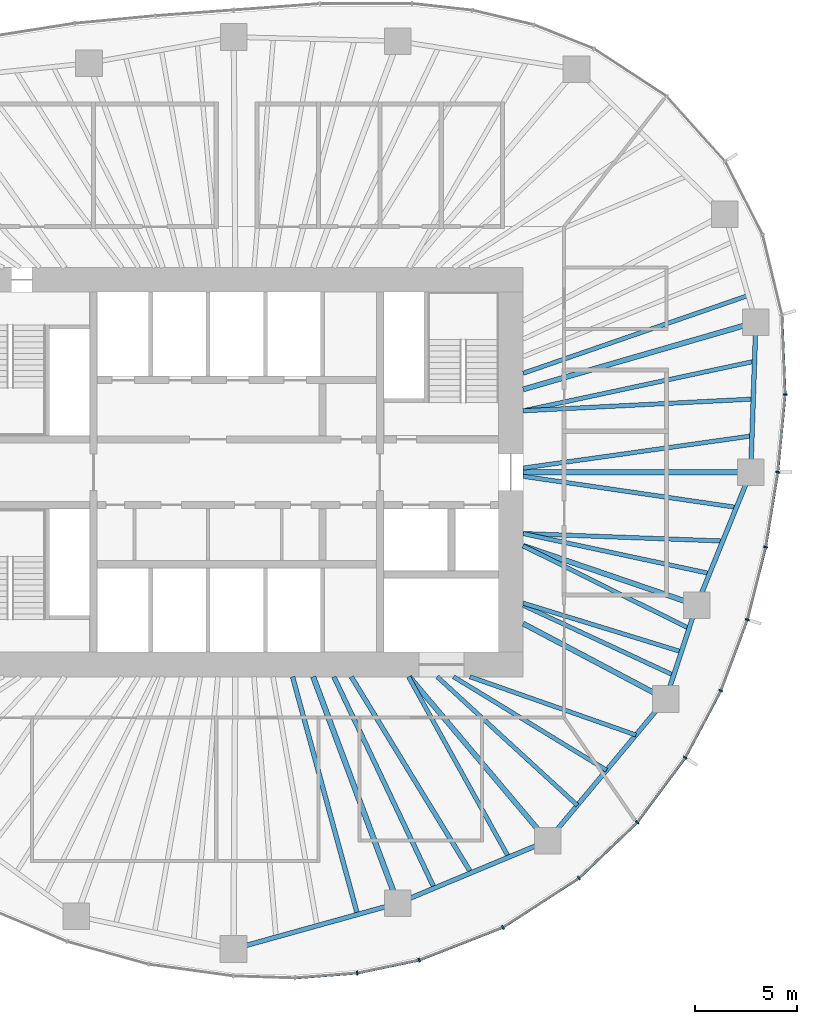
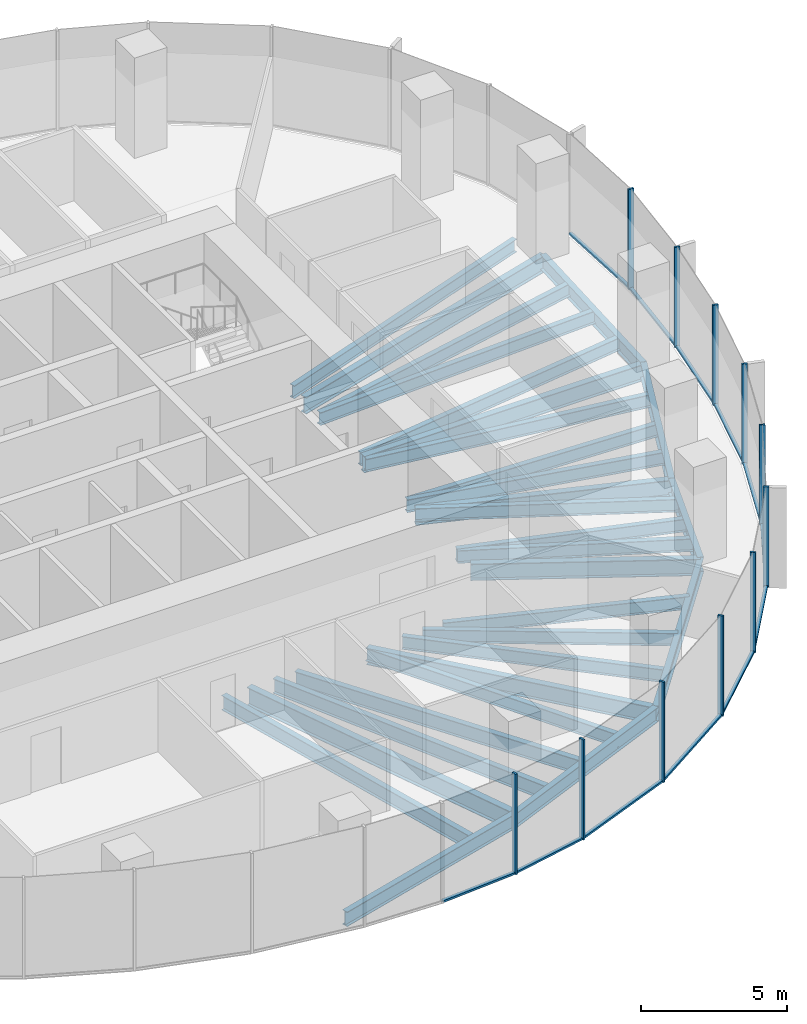
# One storey, part 4 of 11: 29 beams, 23 members, 6 elements without a shape of their own.
"""IFC4 building model written with IfcOpenShell, lengths in metres."""

import ifcopenshell
import ifcopenshell.guid

model = None  # the IFC model being written
_history = None  # IfcOwnerHistory: only IFC2X3 demands one
_inside = {}  # id of a spatial element -> (the spatial element, [elements in it])
_under = {}  # id of a project, library or spatial element -> (it, [spatial elements below it])
_declared = {}  # id of a project -> (the project, [libraries it declares])
_typed = {}  # id of a type object -> (the type object, [elements of that type])
_made_of = {}  # id of a material, layer set ... -> (it, [elements and type objects made of it])


def new_model(schema):
    """Start an empty IFC model of exactly this schema.

    Asked for "IFC4X3", IfcOpenShell would pick the latest addendum, in which some entities
    have other attributes; the version numbers below select the first issue.
    IFC2X3 requires an IfcOwnerHistory on every rooted entity: one is made here for all.
    """
    global model, _history
    if schema == "IFC4X3":
        model = ifcopenshell.file(schema_version=(4, 3, 0, 0))
    else:
        model = ifcopenshell.file(schema=schema)
    _inside.clear()
    _under.clear()
    _declared.clear()
    _typed.clear()
    _made_of.clear()
    _history = None
    if model.schema == "IFC2X3":
        org = make("IfcOrganization", Name="unknown")
        user = make(
            "IfcPersonAndOrganization",
            ThePerson=make("IfcPerson", FamilyName="unknown"),
            TheOrganization=org,
        )
        app = make(
            "IfcApplication",
            ApplicationDeveloper=org,
            Version="unknown",
            ApplicationFullName="unknown",
            ApplicationIdentifier="unknown",
        )
        _history = make(
            "IfcOwnerHistory",
            OwningUser=user,
            OwningApplication=app,
            ChangeAction="ADDED",
            CreationDate=0,
        )
    return model


def make(cls, **values):
    """One entity of the class cls with the attributes given. An attribute that is None is left unset."""
    return model.create_entity(
        cls, **{name: value for name, value in values.items() if value is not None}
    )


def rooted(cls, **values):
    """An entity with a GlobalId (a new one), such as an element, a storey or a relation."""
    return make(cls, GlobalId=ifcopenshell.guid.new(), OwnerHistory=_history, **values)


def si_unit(unit_type, name, prefix=None):
    """IfcSIUnit, for example si_unit("LENGTHUNIT", "METRE", prefix="MILLI")."""
    return make("IfcSIUnit", UnitType=unit_type, Prefix=prefix, Name=name)


def assignment(units):
    """IfcUnitAssignment: the units of a project."""
    return None if units is None else make("IfcUnitAssignment", Units=units)


def point(xyz):
    """IfcCartesianPoint."""
    return None if xyz is None else make("IfcCartesianPoint", Coordinates=xyz)


def direction(xyz):
    """IfcDirection."""
    return None if xyz is None else make("IfcDirection", DirectionRatios=xyz)


def frame(location, z_axis=None, x_axis=None):
    """IfcAxis2Placement3D, a coordinate frame: its origin and axes. An axis left out is left unset."""
    return make(
        "IfcAxis2Placement3D",
        Location=point(location),
        Axis=direction(z_axis),
        RefDirection=direction(x_axis),
    )


def frame_2d(location, x_axis=None):
    """IfcAxis2Placement2D, a coordinate frame in the plane: its origin and x axis."""
    return make(
        "IfcAxis2Placement2D", Location=point(location), RefDirection=direction(x_axis)
    )


def origin():
    """The frame at (0, 0, 0) with its axes left unset."""
    return frame((0.0, 0.0, 0.0))


def origin_2d():
    """The frame at (0, 0) in the plane with its x axis left unset."""
    return frame_2d((0.0, 0.0))


def place(relative_to, where):
    """IfcLocalPlacement: puts the frame where relative to a parent placement (None: the world)."""
    return make(
        "IfcLocalPlacement", PlacementRelTo=relative_to, RelativePlacement=where
    )


def context(
    kind, dimensions, precision=None, world=None, true_north=None, identifier=None
):
    """IfcGeometricRepresentationContext, for example the 3D "Model" context."""
    return make(
        "IfcGeometricRepresentationContext",
        ContextIdentifier=identifier,
        ContextType=kind,
        CoordinateSpaceDimension=dimensions,
        Precision=precision,
        WorldCoordinateSystem=world,
        TrueNorth=true_north,
    )


def subcontext(parent, identifier, kind, view, scale=None):
    """IfcGeometricRepresentationSubContext, for example "Body" below "Model"."""
    return make(
        "IfcGeometricRepresentationSubContext",
        ContextIdentifier=identifier,
        ContextType=kind,
        ParentContext=parent,
        TargetScale=scale,
        TargetView=view,
    )


def project(units=None, contexts=None):
    """IfcProject with its units and contexts."""
    return rooted(
        "IfcProject",
        Name="project",
        RepresentationContexts=contexts,
        UnitsInContext=assignment(units),
    )


def spatial(cls, under=None, at=None, **own):
    """A site, building, storey or space (cls), placed at a placement, below another one or the project."""
    s = rooted(cls, ObjectPlacement=at, **own)
    if under is not None:
        _under.setdefault(under.id(), (under, []))[1].append(s)
    return s


def profile(cls, at=None, kind="AREA", **sizes):
    """A parametric profile (cls). Its sizes go by their IFC names, for example OverallWidth=200.0."""
    return make(cls, ProfileType=kind, Position=at, **sizes)


def rectangle(**sizes):
    """IfcRectangleProfileDef."""
    return profile("IfcRectangleProfileDef", **sizes)


def i_section(**sizes):
    """IfcIShapeProfileDef."""
    return profile("IfcIShapeProfileDef", **sizes)


def extrude(swept, where, along, depth):
    """IfcExtrudedAreaSolid: the profile swept, set in the frame where, extruded along a direction by depth."""
    return make(
        "IfcExtrudedAreaSolid",
        SweptArea=swept,
        Position=where,
        ExtrudedDirection=direction(along),
        Depth=depth,
    )


def shape(context_of_items, identifier, shape_type, items):
    """IfcShapeRepresentation: the items that make up one representation, for example the "Body"."""
    return make(
        "IfcShapeRepresentation",
        ContextOfItems=context_of_items,
        RepresentationIdentifier=identifier,
        RepresentationType=shape_type,
        Items=items,
    )


def material(Name=None, Category=None):
    """IfcMaterial."""
    return make("IfcMaterial", Name=Name, Category=Category)


def material_profile(
    of_material, cross_section, Name=None, Category=None, Priority=None
):
    """IfcMaterialProfile: a cross section and its material."""
    return make(
        "IfcMaterialProfile",
        Name=Name,
        Material=of_material,
        Profile=cross_section,
        Priority=Priority,
        Category=Category,
    )


def profile_set(profiles, Name=None, composite=None):
    """IfcMaterialProfileSet."""
    return make(
        "IfcMaterialProfileSet",
        Name=Name,
        MaterialProfiles=profiles,
        CompositeProfile=composite,
    )


def made_of(thing, what):
    """Note that an element or type object is made of a material, layer set ...; save() writes the relation."""
    if what is not None:
        _made_of.setdefault(what.id(), (what, []))[1].append(thing)
    return thing


def type_object(cls, material=None, **own):
    """A type object (cls), such as IfcWallType, which elements share."""
    return made_of(rooted(cls, **own), material)


def element(
    cls,
    number,
    at=None,
    inside=None,
    cuts=None,
    type_object=None,
    material=None,
    context=None,
    identifier="Body",
    shape_type=None,
    held_by="IfcProductDefinitionShape",
    body=None,
    shapes=None,
    **own,
):
    """One element of the class cls, such as IfcWall. Its Tag is "e" and its number.

    at: its placement. inside: the storey or other place that contains it. cuts: it is an
    opening in that element (IfcRelVoidsElement). A single representation is given by context,
    identifier, shape_type and body (its items); several are given by shapes. held_by: the class
    of the entity that holds the representations. save() writes the other relations.
    """
    e = rooted(cls, Tag="e%d" % number, ObjectPlacement=at, **own)
    if body is not None:
        shapes = [shape(context, identifier, shape_type, body)]
    if shapes is not None:
        e.Representation = make(held_by, Representations=shapes)
    if inside is not None:
        _inside.setdefault(inside.id(), (inside, []))[1].append(e)
    if cuts is not None:
        rooted(
            "IfcRelVoidsElement", RelatingBuildingElement=cuts, RelatedOpeningElement=e
        )
    if type_object is not None:
        _typed.setdefault(type_object.id(), (type_object, []))[1].append(e)
    return made_of(e, material)


def aggregate(whole, parts):
    """IfcRelAggregates: a whole, such as a stair, and the parts it consists of."""
    return rooted("IfcRelAggregates", RelatingObject=whole, RelatedObjects=parts)


def save(model, path):
    """Write the relations noted so far, then the file.

    IfcRelAggregates (storeys below a building ...), IfcRelContainedInSpatialStructure (elements
    in a storey), IfcRelDefinesByType, IfcRelAssociatesMaterial and IfcRelDeclares: one each for
    every whole, place, type object, material and project.
    """
    for whole, parts in _under.values():
        aggregate(whole, parts)
    for where, things in _inside.values():
        rooted(
            "IfcRelContainedInSpatialStructure",
            RelatedElements=things,
            RelatingStructure=where,
        )
    for kind, things in _typed.values():
        rooted("IfcRelDefinesByType", RelatedObjects=things, RelatingType=kind)
    for what, things in _made_of.values():
        rooted("IfcRelAssociatesMaterial", RelatedObjects=things, RelatingMaterial=what)
    for by, libraries in _declared.values():
        rooted("IfcRelDeclares", RelatingContext=by, RelatedDefinitions=libraries)
    model.write(path)


model = new_model("IFC4")

# Units and contexts
model_context = context("Model", 3, precision=1e-05, world=origin(), true_north=direction((0.0, 1.0)))
body_context = subcontext(model_context, "Body", "Model", "MODEL_VIEW")
ifc_project = project(units=[si_unit("LENGTHUNIT", "METRE"), si_unit("AREAUNIT", "SQUARE_METRE"), si_unit("VOLUMEUNIT", "CUBIC_METRE"), si_unit("PLANEANGLEUNIT", "RADIAN"), si_unit("MASSUNIT", "GRAM", prefix="KILO")], contexts=[model_context])

# Site, building, storey
site_placement = place(None, origin())
site = spatial("IfcSite", under=ifc_project, at=site_placement, CompositionType="ELEMENT")
building_placement = place(site_placement, origin())
building = spatial("IfcBuilding", under=site, at=building_placement, Name="Ghaith Harvest Tower", CompositionType="ELEMENT")
storey_placement = place(building_placement, frame((0.0, 0.0, 211.60009765625)))
storey = spatial("IfcBuildingStorey", under=building, at=storey_placement, Name="L46", CompositionType="ELEMENT", Elevation=211.60009765625)

# Curtain wall, members
ifc_material_1 = material(Name="Black anodised aluminium and fritted glass", Category="aluminium")
curtain_wall_type = type_object("IfcCurtainWallType", Name="CW-H CURTAIN WALL", PredefinedType="NOTDEFINED", material=ifc_material_1)
curtain_wall_1_placement = place(storey_placement, origin())
curtain_wall_1 = element("IfcCurtainWall", 1, at=curtain_wall_1_placement, inside=storey, type_object=curtain_wall_type, Name="Curtain wall CW-H bay 01 L46", PredefinedType="NOTDEFINED")
ifc_material_2 = material(Name="Aluminium, black anodised", Category="aluminium")
ifc_material_profile_1 = material_profile(ifc_material_2, rectangle(XDim=0.080078125, YDim=0.199951171875, at=origin_2d()), Name="CW-H MULLION 80x200")
ifc_profile_set_1 = profile_set([ifc_material_profile_1], Name="Aluminium, black anodised")
member_type_1 = type_object("IfcMemberType", Name="CW-H MULLION 80x200", PredefinedType="MULLION", material=ifc_profile_set_1)
member_1_placement = place(storey_placement, frame((26.445068359375, 0.0, 0.0), z_axis=(0.0, 0.0, 1.0), x_axis=(0.126567624553, 0.991957981174, 0.0)))
member_1 = element("IfcMember", 2, at=member_1_placement, type_object=member_type_1, Name="CW-H mullion 1 bay 01 L46", PredefinedType="MULLION", context=body_context, shape_type="SweptSolid", body=[
    extrude(rectangle(XDim=0.080078125, YDim=0.199951171875, at=origin_2d()), origin(), (0.0, 0.0, 1.0), 4.199951171875),
])
member_2_placement = place(storey_placement, frame((26.804443359375, 3.7958984375, 0.0), z_axis=(0.0, 0.0, 1.0), x_axis=(0.026142797814, 0.999658218654, 0.0)))
member_2 = element("IfcMember", 3, at=member_2_placement, type_object=member_type_1, Name="CW-H mullion 2 bay 01 L46", PredefinedType="MULLION", context=body_context, shape_type="SweptSolid", body=[
    extrude(rectangle(XDim=0.080078125, YDim=0.199951171875, at=origin_2d()), origin(), (0.0, 0.0, 1.0), 4.199951171875),
])

# Curtain wall, member
curtain_wall_2_placement = place(storey_placement, origin())
curtain_wall_2 = element("IfcCurtainWall", 4, at=curtain_wall_2_placement, inside=storey, type_object=curtain_wall_type, Name="Curtain wall CW-H bay 16 L46", PredefinedType="NOTDEFINED")
member_3_placement = place(storey_placement, frame((5.893310546875, -24.48291015625, 0.0), z_axis=(0.0, 0.0, 1.0), x_axis=(0.989849191496, 0.142121701704, 0.0)))
member_3 = element("IfcMember", 5, at=member_3_placement, type_object=member_type_1, Name="CW-H mullion 3 bay 16 L46", PredefinedType="MULLION", context=body_context, shape_type="SweptSolid", body=[
    extrude(rectangle(XDim=0.080078125, YDim=0.199951171875, at=origin_2d()), origin(), (0.0, 0.0, 1.0), 4.199951171875),
])

# Curtain wall, members
curtain_wall_3_placement = place(storey_placement, origin())
curtain_wall_3 = element("IfcCurtainWall", 6, at=curtain_wall_3_placement, inside=storey, type_object=curtain_wall_type, Name="Curtain wall CW-H bay 17 L46", PredefinedType="NOTDEFINED")
member_4_placement = place(storey_placement, frame((8.916015625, -23.85009765625, 0.0), z_axis=(0.0, 0.0, 1.0), x_axis=(0.954029934434, 0.299711334793, 0.0)))
member_4 = element("IfcMember", 7, at=member_4_placement, type_object=member_type_1, Name="CW-H mullion 1 bay 17 L46", PredefinedType="MULLION", context=body_context, shape_type="SweptSolid", body=[
    extrude(rectangle(XDim=0.080078125, YDim=0.199951171875, at=origin_2d()), origin(), (0.0, 0.0, 1.0), 4.199951171875),
])
member_5_placement = place(storey_placement, frame((13.010009765625, -22.2470703125, 0.0), z_axis=(0.0, 0.0, 1.0), x_axis=(0.889568363425, 0.456802065225, 0.0)))
member_5 = element("IfcMember", 8, at=member_5_placement, type_object=member_type_1, Name="CW-H mullion 2 bay 17 L46", PredefinedType="MULLION", context=body_context, shape_type="SweptSolid", body=[
    extrude(rectangle(XDim=0.080078125, YDim=0.199951171875, at=origin_2d()), origin(), (0.0, 0.0, 1.0), 4.199951171875),
])

curtain_wall_4_placement = place(storey_placement, origin())
curtain_wall_4 = element("IfcCurtainWall", 9, at=curtain_wall_4_placement, inside=storey, type_object=curtain_wall_type, Name="Curtain wall CW-H bay 18 L46", PredefinedType="NOTDEFINED")
member_6_placement = place(storey_placement, frame((16.72900390625, -19.838134765625, 0.0), z_axis=(0.0, 0.0, 1.0), x_axis=(0.78784554071, 0.615872879727, 0.0)))
member_6 = element("IfcMember", 10, at=member_6_placement, type_object=member_type_1, Name="CW-H mullion 1 bay 18 L46", PredefinedType="MULLION", context=body_context, shape_type="SweptSolid", body=[
    extrude(rectangle(XDim=0.080078125, YDim=0.199951171875, at=origin_2d()), origin(), (0.0, 0.0, 1.0), 4.199951171875),
])
member_7_placement = place(storey_placement, frame((19.57421875, -17.11572265625, 0.0), z_axis=(0.0, 0.0, 1.0), x_axis=(0.661614965695, 0.749843741835, 0.0)))
member_7 = element("IfcMember", 11, at=member_7_placement, type_object=member_type_1, Name="CW-H mullion 2 bay 18 L46", PredefinedType="MULLION", context=body_context, shape_type="SweptSolid", body=[
    extrude(rectangle(XDim=0.080078125, YDim=0.199951171875, at=origin_2d()), origin(), (0.0, 0.0, 1.0), 4.199951171875),
])

curtain_wall_5_placement = place(storey_placement, origin())
curtain_wall_5 = element("IfcCurtainWall", 12, at=curtain_wall_5_placement, inside=storey, type_object=curtain_wall_type, Name="Curtain wall CW-H bay 19 L46", PredefinedType="NOTDEFINED")
member_8_placement = place(storey_placement, frame((21.922607421875, -13.951904296875, 0.0), z_axis=(0.0, 0.0, 1.0), x_axis=(0.535827198032, 0.844327669717, 0.0)))
member_8 = element("IfcMember", 13, at=member_8_placement, type_object=member_type_1, Name="CW-H mullion 1 bay 19 L46", PredefinedType="MULLION", context=body_context, shape_type="SweptSolid", body=[
    extrude(rectangle(XDim=0.080078125, YDim=0.199951171875, at=origin_2d()), origin(), (0.0, 0.0, 1.0), 4.199951171875),
])
member_9_placement = place(storey_placement, frame((23.658203125, -10.680419921875, 0.0), z_axis=(0.0, 0.0, 1.0), x_axis=(0.410429862351, 0.911892169114, 0.0)))
member_9 = element("IfcMember", 14, at=member_9_placement, type_object=member_type_1, Name="CW-H mullion 2 bay 19 L46", PredefinedType="MULLION", context=body_context, shape_type="SweptSolid", body=[
    extrude(rectangle(XDim=0.080078125, YDim=0.199951171875, at=origin_2d()), origin(), (0.0, 0.0, 1.0), 4.199951171875),
])

curtain_wall_6_placement = place(storey_placement, origin())
curtain_wall_6 = element("IfcCurtainWall", 15, at=curtain_wall_6_placement, inside=storey, type_object=curtain_wall_type, Name="Curtain wall CW-H bay 20 L46", PredefinedType="NOTDEFINED")
member_10_placement = place(storey_placement, frame((24.955810546875, -7.212890625, 0.0), z_axis=(0.0, 0.0, 1.0), x_axis=(0.298441625478, 0.954427889462, 0.0)))
member_10 = element("IfcMember", 16, at=member_10_placement, type_object=member_type_1, Name="CW-H mullion 1 bay 20 L46", PredefinedType="MULLION", context=body_context, shape_type="SweptSolid", body=[
    extrude(rectangle(XDim=0.080078125, YDim=0.199951171875, at=origin_2d()), origin(), (0.0, 0.0, 1.0), 4.199951171875),
])
member_11_placement = place(storey_placement, frame((25.85302734375, -3.6611328125, 0.0), z_axis=(0.0, 0.0, 1.0), x_axis=(0.202192370647, 0.979345825157, 0.0)))
member_11 = element("IfcMember", 17, at=member_11_placement, type_object=member_type_1, Name="CW-H mullion 2 bay 20 L46", PredefinedType="MULLION", context=body_context, shape_type="SweptSolid", body=[
    extrude(rectangle(XDim=0.080078125, YDim=0.199951171875, at=origin_2d()), origin(), (0.0, 0.0, 1.0), 4.199951171875),
])

# Member
ifc_material_3 = material(Name="Aluminium, black anodised", Category="aluminium")
ifc_material_profile_2 = material_profile(ifc_material_3, rectangle(XDim=0.1298828125, YDim=0.080078125, at=origin_2d()), Name="CW-H TRANSOM 130x80")
ifc_profile_set_2 = profile_set([ifc_material_profile_2], Name="Aluminium, black anodised")
member_type_2 = type_object("IfcMemberType", Name="CW-H TRANSOM 130x80", PredefinedType="USERDEFINED", material=ifc_profile_set_2)
member_12_placement = place(storey_placement, frame((26.44873046875, 0.039794921875, 0.039794921875), z_axis=(0.094309089207, 0.995542965267, 0.0), x_axis=(-0.995542965267, 0.094309089207, 0.0)))
member_12 = element("IfcMember", 18, at=member_12_placement, type_object=member_type_2, Name="CW-H transom 1 bay 01 L46", ObjectType="TRANSOM", PredefinedType="USERDEFINED", context=body_context, shape_type="SweptSolid", body=[
    extrude(rectangle(XDim=0.1298828125, YDim=0.080078125, at=origin_2d()), origin(), (0.0, 0.0, 1.0), 3.73291015625),
])

member_13_placement = place(storey_placement, frame((26.802978515625, 3.8359375, 0.039794921875), z_axis=(-0.040492641284, 0.999179836667, 0.0), x_axis=(-0.999179836667, -0.040492641284, 0.0)))
member_13 = element("IfcMember", 19, at=member_13_placement, type_object=member_type_2, Name="CW-H transom 2 bay 01 L46", ObjectType="TRANSOM", PredefinedType="USERDEFINED", context=body_context, shape_type="SweptSolid", body=[
    extrude(rectangle(XDim=0.1298828125, YDim=0.080078125, at=origin_2d()), origin(), (0.0, 0.0, 1.0), 3.82861328125),
])

aggregate(curtain_wall_1, [member_1, member_12, member_2, member_13])

member_14_placement = place(storey_placement, frame((2.8876953125, -24.71826171875, 0.039794921875), z_axis=(0.996949781933, 0.078045706505, 0.0), x_axis=(-0.078045706505, 0.996949781933, 0.0)))
member_14 = element("IfcMember", 20, at=member_14_placement, type_object=member_type_2, Name="CW-H transom 2 bay 16 L46", ObjectType="TRANSOM", PredefinedType="USERDEFINED", context=body_context, shape_type="SweptSolid", body=[
    extrude(rectangle(XDim=0.1298828125, YDim=0.080078125, at=origin_2d()), origin(), (0.0, 0.0, 1.0), 2.974853515625),
])

member_15_placement = place(storey_placement, frame((5.932373046875, -24.474609375, 0.039794921875), z_axis=(0.978797058213, 0.204832416461, 0.0), x_axis=(-0.204832416461, 0.978797058213, 0.0)))
member_15 = element("IfcMember", 21, at=member_15_placement, type_object=member_type_2, Name="CW-H transom 3 bay 16 L46", ObjectType="TRANSOM", PredefinedType="USERDEFINED", context=body_context, shape_type="SweptSolid", body=[
    extrude(rectangle(XDim=0.1298828125, YDim=0.080078125, at=origin_2d()), origin(), (0.0, 0.0, 1.0), 3.00830078125),
])

aggregate(curtain_wall_2, [member_14, member_3, member_15])

member_16_placement = place(storey_placement, frame((8.953369140625, -23.835693359375, 0.039794921875), z_axis=(0.931147615871, 0.364642451529, 0.0), x_axis=(-0.364642451529, 0.931147615871, 0.0)))
member_16 = element("IfcMember", 22, at=member_16_placement, type_object=member_type_2, Name="CW-H transom 1 bay 17 L46", ObjectType="TRANSOM", PredefinedType="USERDEFINED", context=body_context, shape_type="SweptSolid", body=[
    extrude(rectangle(XDim=0.1298828125, YDim=0.080078125, at=origin_2d()), origin(), (0.0, 0.0, 1.0), 4.31640625),
])

member_17_placement = place(storey_placement, frame((13.04345703125, -22.225341796875, 0.039794921875), z_axis=(0.839306610985, 0.543658360331, 0.0), x_axis=(-0.543658360331, 0.839306610985, 0.0)))
member_17 = element("IfcMember", 23, at=member_17_placement, type_object=member_type_2, Name="CW-H transom 2 bay 17 L46", ObjectType="TRANSOM", PredefinedType="USERDEFINED", context=body_context, shape_type="SweptSolid", body=[
    extrude(rectangle(XDim=0.1298828125, YDim=0.080078125, at=origin_2d()), origin(), (0.0, 0.0, 1.0), 4.35107421875),
])

aggregate(curtain_wall_3, [member_4, member_16, member_5, member_17])

member_18_placement = place(storey_placement, frame((16.7578125, -19.810546875, 0.039794921875), z_axis=(0.722533278657, 0.691336141998, 0.0), x_axis=(-0.691336141998, 0.722533278657, 0.0)))
member_18 = element("IfcMember", 24, at=member_18_placement, type_object=member_type_2, Name="CW-H transom 1 bay 18 L46", ObjectType="TRANSOM", PredefinedType="USERDEFINED", context=body_context, shape_type="SweptSolid", body=[
    extrude(rectangle(XDim=0.1298828125, YDim=0.080078125, at=origin_2d()), origin(), (0.0, 0.0, 1.0), 3.858154296875),
])

member_19_placement = place(storey_placement, frame((19.59814453125, -17.083740234375, 0.039794921875), z_axis=(0.595995597074, 0.802987701194, 0.0), x_axis=(-0.802987701194, 0.595995597074, 0.0)))
member_19 = element("IfcMember", 25, at=member_19_placement, type_object=member_type_2, Name="CW-H transom 2 bay 18 L46", ObjectType="TRANSOM", PredefinedType="USERDEFINED", context=body_context, shape_type="SweptSolid", body=[
    extrude(rectangle(XDim=0.1298828125, YDim=0.080078125, at=origin_2d()), origin(), (0.0, 0.0, 1.0), 3.8603515625),
])

aggregate(curtain_wall_4, [member_6, member_18, member_7, member_19])

member_20_placement = place(storey_placement, frame((21.94140625, -13.91650390625, 0.039794921875), z_axis=(0.468646057757, 0.883386026915, 0.0), x_axis=(-0.883386026915, 0.468646057757, 0.0)))
member_20 = element("IfcMember", 26, at=member_20_placement, type_object=member_type_2, Name="CW-H transom 1 bay 19 L46", ObjectType="TRANSOM", PredefinedType="USERDEFINED", context=body_context, shape_type="SweptSolid", body=[
    extrude(rectangle(XDim=0.1298828125, YDim=0.080078125, at=origin_2d()), origin(), (0.0, 0.0, 1.0), 3.623291015625),
])

member_21_placement = place(storey_placement, frame((23.672119140625, -10.64306640625, 0.039794921875), z_axis=(0.350510368091, 0.936558851253, 0.0), x_axis=(-0.936558851253, 0.350510368091, 0.0)))
member_21 = element("IfcMember", 27, at=member_21_placement, type_object=member_type_2, Name="CW-H transom 2 bay 19 L46", ObjectType="TRANSOM", PredefinedType="USERDEFINED", context=body_context, shape_type="SweptSolid", body=[
    extrude(rectangle(XDim=0.1298828125, YDim=0.080078125, at=origin_2d()), origin(), (0.0, 0.0, 1.0), 3.62255859375),
])

aggregate(curtain_wall_5, [member_8, member_20, member_9, member_21])

member_22_placement = place(storey_placement, frame((24.965576171875, -7.174072265625, 0.039794921875), z_axis=(0.244939588347, 0.969538342749, 0.0), x_axis=(-0.969538342749, 0.244939588347, 0.0)))
member_22 = element("IfcMember", 28, at=member_22_placement, type_object=member_type_2, Name="CW-H transom 1 bay 20 L46", ObjectType="TRANSOM", PredefinedType="USERDEFINED", context=body_context, shape_type="SweptSolid", body=[
    extrude(rectangle(XDim=0.1298828125, YDim=0.080078125, at=origin_2d()), origin(), (0.0, 0.0, 1.0), 3.583251953125),
])

member_23_placement = place(storey_placement, frame((25.859375, -3.62158203125, 0.039794921875), z_axis=(0.159661845696, 0.987171765717, 0.0), x_axis=(-0.987171765717, 0.159661845696, 0.0)))
member_23 = element("IfcMember", 29, at=member_23_placement, type_object=member_type_2, Name="CW-H transom 2 bay 20 L46", ObjectType="TRANSOM", PredefinedType="USERDEFINED", context=body_context, shape_type="SweptSolid", body=[
    extrude(rectangle(XDim=0.1298828125, YDim=0.080078125, at=origin_2d()), origin(), (0.0, 0.0, 1.0), 3.628662109375),
])

aggregate(curtain_wall_6, [member_10, member_22, member_11, member_23])

# Beams
ifc_material_4 = material(Name="Steel ASTM A992 Grade 50", Category="steel")
ifc_material_profile_3 = material_profile(ifc_material_4, i_section(OverallWidth=0.22900390625, OverallDepth=0.612060546875, WebThickness=0.011962890625, FlangeThickness=0.01953125, at=origin_2d()), Name="W610X125")
ifc_profile_set_3 = profile_set([ifc_material_profile_3], Name="Steel ASTM A992 Grade 50")
beam_type_1 = type_object("IfcBeamType", Name="E610-125 W610X125", PredefinedType="SPANDREL", material=ifc_profile_set_3)
beam_1_placement = place(storey_placement, frame((25.125, 0.0, -0.47607421875), z_axis=(0.03446227584, 0.999405999354, 0.0), x_axis=(-0.999405999354, 0.03446227584, 0.0)))
element("IfcBeam", 30, at=beam_1_placement, inside=storey, type_object=beam_type_1, Name="Edge beam E01 L46", PredefinedType="SPANDREL", context=body_context, shape_type="SweptSolid", body=[
    extrude(i_section(OverallWidth=0.22900390625, OverallDepth=0.612060546875, WebThickness=0.011962890625, FlangeThickness=0.01953125, at=origin_2d()), origin(), (0.0, 0.0, 1.0), 7.33935546875),
])
beam_2_placement = place(storey_placement, frame((-0.158935546875, -23.304931640625, -0.47607421875), z_axis=(0.963504070594, 0.267693679323, 0.0), x_axis=(-0.267693679323, 0.963504070594, 0.0)))
element("IfcBeam", 31, at=beam_2_placement, inside=storey, type_object=beam_type_1, Name="Edge beam E16 L46", PredefinedType="SPANDREL", context=body_context, shape_type="SweptSolid", body=[
    extrude(i_section(OverallWidth=0.22900390625, OverallDepth=0.612060546875, WebThickness=0.011962890625, FlangeThickness=0.01953125, at=origin_2d()), origin(), (0.0, 0.0, 1.0), 8.34130859375),
])
beam_3_placement = place(storey_placement, frame((7.8779296875, -21.072021484375, -0.47607421875), z_axis=(0.923119729219, 0.384512633766, 0.0), x_axis=(-0.384512633766, 0.923119729219, 0.0)))
element("IfcBeam", 32, at=beam_3_placement, inside=storey, type_object=beam_type_1, Name="Edge beam E17 L46", PredefinedType="SPANDREL", context=body_context, shape_type="SweptSolid", body=[
    extrude(i_section(OverallWidth=0.22900390625, OverallDepth=0.612060546875, WebThickness=0.011962890625, FlangeThickness=0.01953125, at=origin_2d()), origin(), (0.0, 0.0, 1.0), 7.9296875),
])
beam_4_placement = place(storey_placement, frame((15.197998046875, -18.02294921875, -0.47607421875), z_axis=(0.640173759088, 0.76823014662, 0.0), x_axis=(-0.76823014662, 0.640173759088, 0.0)))
element("IfcBeam", 33, at=beam_4_placement, inside=storey, type_object=beam_type_1, Name="Edge beam E18 L46", PredefinedType="SPANDREL", context=body_context, shape_type="SweptSolid", body=[
    extrude(i_section(OverallWidth=0.22900390625, OverallDepth=0.612060546875, WebThickness=0.011962890625, FlangeThickness=0.01953125, at=origin_2d()), origin(), (0.0, 0.0, 1.0), 9.02734375),
])
beam_5_placement = place(storey_placement, frame((20.97705078125, -11.087890625, -0.47607421875), z_axis=(0.312206727278, 0.950014189074, 0.0), x_axis=(-0.950014189074, 0.312206727278, 0.0)))
element("IfcBeam", 34, at=beam_5_placement, inside=storey, type_object=beam_type_1, Name="Edge beam E19 L46", PredefinedType="SPANDREL", context=body_context, shape_type="SweptSolid", body=[
    extrude(i_section(OverallWidth=0.22900390625, OverallDepth=0.612060546875, WebThickness=0.011962890625, FlangeThickness=0.01953125, at=origin_2d()), origin(), (0.0, 0.0, 1.0), 4.830322265625),
])
beam_6_placement = place(storey_placement, frame((22.485107421875, -6.4990234375, -0.47607421875), z_axis=(0.376335970246, 0.926483263475, 0.0), x_axis=(-0.926483263475, 0.376335970246, 0.0)))
element("IfcBeam", 35, at=beam_6_placement, inside=storey, type_object=beam_type_1, Name="Edge beam E20 L46", PredefinedType="SPANDREL", context=body_context, shape_type="SweptSolid", body=[
    extrude(i_section(OverallWidth=0.22900390625, OverallDepth=0.612060546875, WebThickness=0.011962890625, FlangeThickness=0.01953125, at=origin_2d()), origin(), (0.0, 0.0, 1.0), 7.0146484375),
])
ifc_material_5 = material(Name="Steel ASTM A992 Grade 50", Category="steel")
ifc_material_profile_4 = material_profile(ifc_material_5, i_section(OverallWidth=0.256103515625, OverallDepth=0.693115234375, WebThickness=0.014404296875, FlangeThickness=0.023681640625, at=origin_2d()), Name="W690X170")
ifc_profile_set_4 = profile_set([ifc_material_profile_4], Name="Steel ASTM A992 Grade 50")
beam_type_2 = type_object("IfcBeamType", Name="G690-170 W690X170", PredefinedType="BEAM", material=ifc_profile_set_4)
beam_7_placement = place(storey_placement, frame((14.0, 0.0, -0.5166015625), z_axis=(1.0, 0.0, 0.0), x_axis=(0.0, 1.0, 0.0)))
element("IfcBeam", 36, at=beam_7_placement, inside=storey, type_object=beam_type_2, Name="Radial girder G01 L46", PredefinedType="BEAM", context=body_context, shape_type="SweptSolid", body=[
    extrude(i_section(OverallWidth=0.256103515625, OverallDepth=0.693115234375, WebThickness=0.014404296875, FlangeThickness=0.023681640625, at=origin_2d()), origin(), (0.0, 0.0, 1.0), 11.125),
])
beam_8_placement = place(storey_placement, frame((14.0, 4.04638671875, -0.5166015625), z_axis=(0.960677776578, 0.277665643518, 0.0), x_axis=(-0.277665643518, 0.960677776578, 0.0)))
element("IfcBeam", 37, at=beam_8_placement, inside=storey, type_object=beam_type_2, Name="Radial girder G02 L46", PredefinedType="BEAM", context=body_context, shape_type="SweptSolid", body=[
    extrude(i_section(OverallWidth=0.256103515625, OverallDepth=0.693115234375, WebThickness=0.014404296875, FlangeThickness=0.023681640625, at=origin_2d()), origin(), (0.0, 0.0, 1.0), 11.84375),
])
beam_9_placement = place(storey_placement, frame((8.4326171875, -10.0, -0.5166015625), z_axis=(0.644649240595, -0.764478486682, 0.0), x_axis=(0.764478486682, 0.644649240595, 0.0)))
element("IfcBeam", 38, at=beam_9_placement, inside=storey, type_object=beam_type_2, Name="Radial girder G18 L46", PredefinedType="BEAM", context=body_context, shape_type="SweptSolid", body=[
    extrude(i_section(OverallWidth=0.256103515625, OverallDepth=0.693115234375, WebThickness=0.014404296875, FlangeThickness=0.023681640625, at=origin_2d()), origin(), (0.0, 0.0, 1.0), 10.49462890625),
])
beam_10_placement = place(storey_placement, frame((14.0, -7.39990234375, -0.5166015625), z_axis=(0.884088732293, -0.467319070264, 0.0), x_axis=(0.467319070264, 0.884088732293, 0.0)))
element("IfcBeam", 39, at=beam_10_placement, inside=storey, type_object=beam_type_2, Name="Radial girder G19 L46", PredefinedType="BEAM", context=body_context, shape_type="SweptSolid", body=[
    extrude(i_section(OverallWidth=0.256103515625, OverallDepth=0.693115234375, WebThickness=0.014404296875, FlangeThickness=0.023681640625, at=origin_2d()), origin(), (0.0, 0.0, 1.0), 7.891845703125),
])
beam_11_placement = place(storey_placement, frame((14.0, -3.60009765625, -0.5166015625), z_axis=(0.94629622913, -0.323300861018, 0.0), x_axis=(0.323300861018, 0.94629622913, 0.0)))
element("IfcBeam", 40, at=beam_11_placement, inside=storey, type_object=beam_type_2, Name="Radial girder G20 L46", PredefinedType="BEAM", context=body_context, shape_type="SweptSolid", body=[
    extrude(i_section(OverallWidth=0.256103515625, OverallDepth=0.693115234375, WebThickness=0.014404296875, FlangeThickness=0.023681640625, at=origin_2d()), origin(), (0.0, 0.0, 1.0), 8.966552734375),
])
ifc_material_6 = material(Name="Steel ASTM A992 Grade 50", Category="steel")
ifc_material_profile_5 = material_profile(ifc_material_6, i_section(OverallWidth=0.26806640625, OverallDepth=0.77001953125, WebThickness=0.015625, FlangeThickness=0.025390625, at=origin_2d()), Name="W760X196")
ifc_profile_set_5 = profile_set([ifc_material_profile_5], Name="Steel ASTM A992 Grade 50")
beam_type_3 = type_object("IfcBeamType", Name="G760-196 W760X196", PredefinedType="BEAM", material=ifc_profile_set_5)
beam_12_placement = place(storey_placement, frame((3.73828125, -10.0, -0.55517578125), z_axis=(0.350206582147, -0.936672488024, 0.0), x_axis=(0.936672488024, 0.350206582147, 0.0)))
element("IfcBeam", 41, at=beam_12_placement, inside=storey, type_object=beam_type_3, Name="Radial girder G17 L46", PredefinedType="BEAM", context=body_context, shape_type="SweptSolid", body=[
    extrude(i_section(OverallWidth=0.26806640625, OverallDepth=0.77001953125, WebThickness=0.015625, FlangeThickness=0.025390625, at=origin_2d()), origin(), (0.0, 0.0, 1.0), 11.820556640625),
])
ifc_material_7 = material(Name="Steel ASTM A992 Grade 50", Category="steel")
ifc_material_profile_6 = material_profile(ifc_material_7, i_section(OverallWidth=0.2109375, OverallDepth=0.5390625, WebThickness=0.01171875, FlangeThickness=0.018798828125, at=origin_2d()), Name="W530X109")
ifc_profile_set_6 = profile_set([ifc_material_profile_6], Name="Steel ASTM A992 Grade 50")
beam_type_4 = type_object("IfcBeamType", Name="J530-109 W530X109", PredefinedType="JOIST", material=ifc_profile_set_6)
beam_13_placement = place(storey_placement, frame((14.0, 0.199951171875, -0.439697265625), z_axis=(0.990239574724, 0.139375696052, 0.0), x_axis=(-0.139375696052, 0.990239574724, 0.0)))
element("IfcBeam", 42, at=beam_13_placement, inside=storey, type_object=beam_type_4, Name="Joist J01.1 L46", PredefinedType="JOIST", context=body_context, shape_type="SweptSolid", body=[
    extrude(i_section(OverallWidth=0.2109375, OverallDepth=0.5390625, WebThickness=0.01171875, FlangeThickness=0.018798828125, at=origin_2d()), origin(), (0.0, 0.0, 1.0), 11.296630859375),
])
beam_14_placement = place(storey_placement, frame((14.0, 3.0, -0.439697265625), z_axis=(0.998693995267, 0.051091132482, 0.0), x_axis=(-0.051091132482, 0.998693995267, 0.0)))
element("IfcBeam", 43, at=beam_14_placement, inside=storey, type_object=beam_type_4, Name="Joist J01.2 L46", PredefinedType="JOIST", context=body_context, shape_type="SweptSolid", body=[
    extrude(i_section(OverallWidth=0.2109375, OverallDepth=0.5390625, WebThickness=0.01171875, FlangeThickness=0.018798828125, at=origin_2d()), origin(), (0.0, 0.0, 1.0), 11.262939453125),
])
beam_15_placement = place(storey_placement, frame((14.0, 3.0, -0.439697265625), z_axis=(0.977840076912, 0.209353251672, 0.0), x_axis=(-0.209353251672, 0.977840076912, 0.0)))
element("IfcBeam", 44, at=beam_15_placement, inside=storey, type_object=beam_type_4, Name="Joist J01.3 L46", PredefinedType="JOIST", context=body_context, shape_type="SweptSolid", body=[
    extrude(i_section(OverallWidth=0.2109375, OverallDepth=0.5390625, WebThickness=0.01171875, FlangeThickness=0.018798828125, at=origin_2d()), origin(), (0.0, 0.0, 1.0), 11.568359375),
])
beam_16_placement = place(storey_placement, frame((14.0, 4.835693359375, -0.439697265625), z_axis=(0.945202328042, 0.326485159025, 0.0), x_axis=(-0.326485159025, 0.945202328042, 0.0)))
element("IfcBeam", 45, at=beam_16_placement, inside=storey, type_object=beam_type_4, Name="Joist J02.1 L46", PredefinedType="JOIST", context=body_context, shape_type="SweptSolid", body=[
    extrude(i_section(OverallWidth=0.2109375, OverallDepth=0.5390625, WebThickness=0.01171875, FlangeThickness=0.018798828125, at=origin_2d()), origin(), (0.0, 0.0, 1.0), 11.63916015625),
])
beam_17_placement = place(storey_placement, frame((8.39990234375, -10.0, -0.439697265625), z_axis=(0.484919107871, -0.874559008199, 0.0), x_axis=(0.874559008199, 0.484919107871, 0.0)))
element("IfcBeam", 46, at=beam_17_placement, inside=storey, type_object=beam_type_4, Name="Joist J17.3 L46", PredefinedType="JOIST", context=body_context, shape_type="SweptSolid", body=[
    extrude(i_section(OverallWidth=0.2109375, OverallDepth=0.5390625, WebThickness=0.01171875, FlangeThickness=0.018798828125, at=origin_2d()), origin(), (0.0, 0.0, 1.0), 10.0830078125),
])
beam_18_placement = place(storey_placement, frame((9.800048828125, -10.0, -0.439697265625), z_axis=(0.736998187228, -0.675894719629, 0.0), x_axis=(0.675894719629, 0.736998187228, 0.0)))
element("IfcBeam", 47, at=beam_18_placement, inside=storey, type_object=beam_type_4, Name="Joist J18.1 L46", PredefinedType="JOIST", context=body_context, shape_type="SweptSolid", body=[
    extrude(i_section(OverallWidth=0.2109375, OverallDepth=0.5390625, WebThickness=0.01171875, FlangeThickness=0.018798828125, at=origin_2d()), origin(), (0.0, 0.0, 1.0), 9.293701171875),
])
beam_19_placement = place(storey_placement, frame((14.0, -3.0, -0.439697265625), z_axis=(0.977841497168, -0.209346617877, 0.0), x_axis=(0.209346617877, 0.977841497168, 0.0)))
element("IfcBeam", 48, at=beam_19_placement, inside=storey, type_object=beam_type_4, Name="Joist J20.1 L46", PredefinedType="JOIST", context=body_context, shape_type="SweptSolid", body=[
    extrude(i_section(OverallWidth=0.2109375, OverallDepth=0.5390625, WebThickness=0.01171875, FlangeThickness=0.018798828125, at=origin_2d()), origin(), (0.0, 0.0, 1.0), 9.3203125),
])
beam_20_placement = place(storey_placement, frame((14.0, -3.0, -0.439697265625), z_axis=(0.999303105315, -0.037326983644, 0.0), x_axis=(0.037326983644, 0.999303105315, 0.0)))
element("IfcBeam", 49, at=beam_20_placement, inside=storey, type_object=beam_type_4, Name="Joist J20.2 L46", PredefinedType="JOIST", context=body_context, shape_type="SweptSolid", body=[
    extrude(i_section(OverallWidth=0.2109375, OverallDepth=0.5390625, WebThickness=0.01171875, FlangeThickness=0.018798828125, at=origin_2d()), origin(), (0.0, 0.0, 1.0), 9.76513671875),
])
beam_21_placement = place(storey_placement, frame((14.0, -0.199951171875, -0.439697265625), z_axis=(0.989525259022, -0.144359834294, 0.0), x_axis=(0.144359834294, 0.989525259022, 0.0)))
element("IfcBeam", 50, at=beam_21_placement, inside=storey, type_object=beam_type_4, Name="Joist J20.3 L46", PredefinedType="JOIST", context=body_context, shape_type="SweptSolid", body=[
    extrude(i_section(OverallWidth=0.2109375, OverallDepth=0.5390625, WebThickness=0.01171875, FlangeThickness=0.018798828125, at=origin_2d()), origin(), (0.0, 0.0, 1.0), 10.5361328125),
])
ifc_material_8 = material(Name="Steel ASTM A992 Grade 50", Category="steel")
ifc_material_profile_7 = material_profile(ifc_material_8, i_section(OverallWidth=0.208984375, OverallDepth=0.532958984375, WebThickness=0.01025390625, FlangeThickness=0.015625, at=origin_2d()), Name="W530X92")
ifc_profile_set_7 = profile_set([ifc_material_profile_7], Name="Steel ASTM A992 Grade 50")
beam_type_5 = type_object("IfcBeamType", Name="J530-92 W530X92", PredefinedType="JOIST", material=ifc_profile_set_7)
beam_22_placement = place(storey_placement, frame((10.60009765625, -10.0, -0.4365234375), z_axis=(0.853467052113, -0.521146803654, 0.0), x_axis=(0.521146803654, 0.853467052113, 0.0)))
element("IfcBeam", 51, at=beam_22_placement, inside=storey, type_object=beam_type_5, Name="Joist J18.2 L46", PredefinedType="JOIST", context=body_context, shape_type="SweptSolid", body=[
    extrude(i_section(OverallWidth=0.208984375, OverallDepth=0.532958984375, WebThickness=0.01025390625, FlangeThickness=0.015625, at=origin_2d()), origin(), (0.0, 0.0, 1.0), 8.76220703125),
])
beam_23_placement = place(storey_placement, frame((11.39990234375, -10.0, -0.4365234375), z_axis=(0.943605274188, -0.331072630285, 0.0), x_axis=(0.331072630285, 0.943605274188, 0.0)))
element("IfcBeam", 52, at=beam_23_placement, inside=storey, type_object=beam_type_5, Name="Joist J18.3 L46", PredefinedType="JOIST", context=body_context, shape_type="SweptSolid", body=[
    extrude(i_section(OverallWidth=0.208984375, OverallDepth=0.532958984375, WebThickness=0.01025390625, FlangeThickness=0.015625, at=origin_2d()), origin(), (0.0, 0.0, 1.0), 8.596923828125),
])
beam_24_placement = place(storey_placement, frame((14.0, -6.506103515625, -0.4365234375), z_axis=(0.906865270415, -0.421420670251, 0.0), x_axis=(0.421420670251, 0.906865270415, 0.0)))
element("IfcBeam", 53, at=beam_24_placement, inside=storey, type_object=beam_type_5, Name="Joist J19.1 L46", PredefinedType="JOIST", context=body_context, shape_type="SweptSolid", body=[
    extrude(i_section(OverallWidth=0.208984375, OverallDepth=0.532958984375, WebThickness=0.01025390625, FlangeThickness=0.015625, at=origin_2d()), origin(), (0.0, 0.0, 1.0), 8.11474609375),
])
beam_25_placement = place(storey_placement, frame((14.0, -6.39990234375, -0.4365234375), z_axis=(0.955870927609, -0.293786946192, 0.0), x_axis=(0.293786946192, 0.955870927609, 0.0)))
element("IfcBeam", 54, at=beam_25_placement, inside=storey, type_object=beam_type_5, Name="Joist J19.2 L46", PredefinedType="JOIST", context=body_context, shape_type="SweptSolid", body=[
    extrude(i_section(OverallWidth=0.208984375, OverallDepth=0.532958984375, WebThickness=0.01025390625, FlangeThickness=0.015625, at=origin_2d()), origin(), (0.0, 0.0, 1.0), 8.09326171875),
])
beam_26_placement = place(storey_placement, frame((14.0, -3.60009765625, -0.4365234375), z_axis=(0.89523949078, -0.445585293909, 0.0), x_axis=(0.445585293909, 0.89523949078, 0.0)))
element("IfcBeam", 55, at=beam_26_placement, inside=storey, type_object=beam_type_5, Name="Joist J19.3 L46", PredefinedType="JOIST", context=body_context, shape_type="SweptSolid", body=[
    extrude(i_section(OverallWidth=0.208984375, OverallDepth=0.532958984375, WebThickness=0.01025390625, FlangeThickness=0.015625, at=origin_2d()), origin(), (0.0, 0.0, 1.0), 9.060302734375),
])
ifc_material_9 = material(Name="Steel ASTM A992 Grade 50", Category="steel")
ifc_material_profile_8 = material_profile(ifc_material_9, i_section(OverallWidth=0.22900390625, OverallDepth=0.612060546875, WebThickness=0.011962890625, FlangeThickness=0.01953125, at=origin_2d()), Name="W610X125")
ifc_profile_set_8 = profile_set([ifc_material_profile_8], Name="Steel ASTM A992 Grade 50")
beam_type_6 = type_object("IfcBeamType", Name="J610-125 W610X125", PredefinedType="JOIST", material=ifc_profile_set_8)
beam_27_placement = place(storey_placement, frame((2.73095703125, -10.0, -0.47607421875), z_axis=(0.263456947705, -0.964671154698, 0.0), x_axis=(0.964671154698, 0.263456947705, 0.0)))
element("IfcBeam", 56, at=beam_27_placement, inside=storey, type_object=beam_type_6, Name="Joist J16.3 L46", PredefinedType="JOIST", context=body_context, shape_type="SweptSolid", body=[
    extrude(i_section(OverallWidth=0.22900390625, OverallDepth=0.612060546875, WebThickness=0.011962890625, FlangeThickness=0.01953125, at=origin_2d()), origin(), (0.0, 0.0, 1.0), 12.0458984375),
])
beam_28_placement = place(storey_placement, frame((4.75, -10.0, -0.47607421875), z_axis=(0.429080762264, -0.90326612881, 0.0), x_axis=(0.90326612881, 0.429080762264, 0.0)))
element("IfcBeam", 57, at=beam_28_placement, inside=storey, type_object=beam_type_6, Name="Joist J17.1 L46", PredefinedType="JOIST", context=body_context, shape_type="SweptSolid", body=[
    extrude(i_section(OverallWidth=0.22900390625, OverallDepth=0.612060546875, WebThickness=0.011962890625, FlangeThickness=0.01953125, at=origin_2d()), origin(), (0.0, 0.0, 1.0), 11.437255859375),
])
beam_29_placement = place(storey_placement, frame((5.60009765625, -10.0, -0.47607421875), z_axis=(0.521165912119, -0.853455383746, 0.0), x_axis=(0.853455383746, 0.521165912119, 0.0)))
element("IfcBeam", 58, at=beam_29_placement, inside=storey, type_object=beam_type_6, Name="Joist J17.2 L46", PredefinedType="JOIST", context=body_context, shape_type="SweptSolid", body=[
    extrude(i_section(OverallWidth=0.22900390625, OverallDepth=0.612060546875, WebThickness=0.011962890625, FlangeThickness=0.01953125, at=origin_2d()), origin(), (0.0, 0.0, 1.0), 11.228759765625),
])

save(model, "model.ifc")
